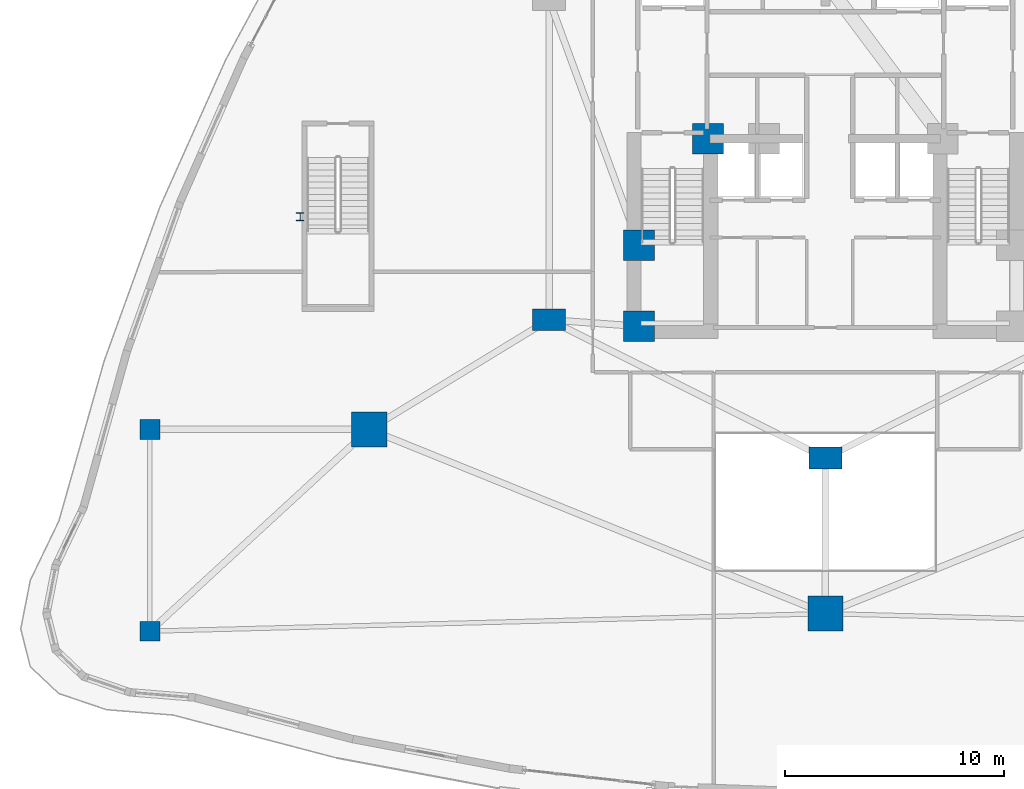
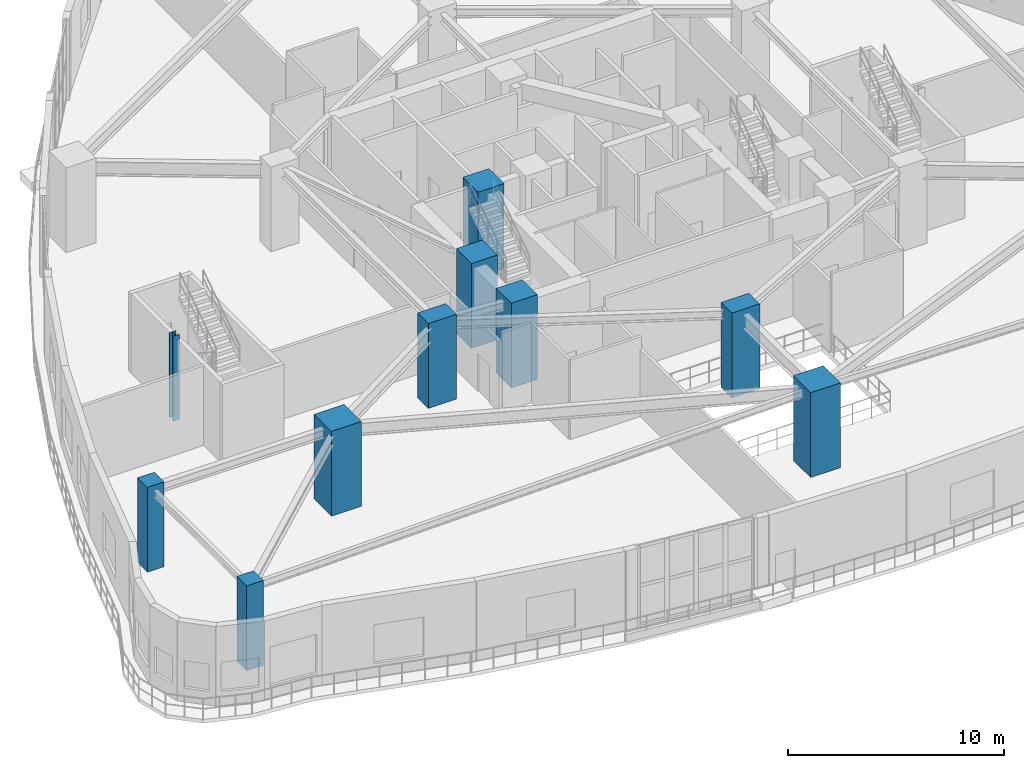
# One storey, part 1 of 25: 10 columns.
"""IFC4 building model written with IfcOpenShell, lengths in metres."""

from ifc_helpers import new_model, si_unit, direction, frame, origin, origin_2d, place, context, subcontext, project, spatial, rectangle, i_section, extrude, material, material_profile, profile_set, type_object, element, save


model = new_model("IFC4")

# Units and contexts
model_context = context("Model", 3, precision=1e-05, world=origin(), true_north=direction((0.0, 1.0)))
body_context = subcontext(model_context, "Body", "Model", "MODEL_VIEW")
ifc_project = project(units=[si_unit("LENGTHUNIT", "METRE"), si_unit("AREAUNIT", "SQUARE_METRE"), si_unit("VOLUMEUNIT", "CUBIC_METRE"), si_unit("PLANEANGLEUNIT", "RADIAN"), si_unit("MASSUNIT", "GRAM", prefix="KILO")], contexts=[model_context])

# Site, building, storey
site_placement = place(None, origin())
site = spatial("IfcSite", under=ifc_project, at=site_placement, CompositionType="ELEMENT")
building_placement = place(site_placement, origin())
building = spatial("IfcBuilding", under=site, at=building_placement, Name="Miruveldt Soraemaru", CompositionType="ELEMENT")
storey_placement = place(building_placement, frame((0.0, 0.0, 4.800048828125)))
storey = spatial("IfcBuildingStorey", under=building, at=storey_placement, Name="L02", CompositionType="ELEMENT", Elevation=4.800048828125)

# Columns
ifc_material_1 = material(Name="Concrete C50/60 (50 MPa)", Category="concrete")
ifc_material_profile_1 = material_profile(ifc_material_1, rectangle(XDim=0.89990234375, YDim=0.89990234375, at=origin_2d()), Name="Concrete C50/60 (50 MPa)", Category="concrete")
ifc_profile_set_1 = profile_set([ifc_material_profile_1], Name="Concrete C50/60 (50 MPa)")
column_type_1 = type_object("IfcColumnType", Name="COL-CORE-900", PredefinedType="COLUMN", material=ifc_profile_set_1)
for number, where, z_axis, x_axis, name in (
    (1, (13.199951171875, 21.60009765625, 0.0), (0.0, 0.0, 1.0), (1.0, 0.0, 0.0), "L02 Structural Column PF01"),
    (2, (13.199951171875, 30.800048828125, 0.0), (0.0, 0.0, 1.0), (1.0, 0.0, 0.0), "L02 Structural Column PF02"),
):
    element("IfcColumn", number, at=place(storey_placement, frame(where, z_axis=z_axis, x_axis=x_axis)), inside=storey, type_object=column_type_1, Name=name, PredefinedType="COLUMN", context=body_context, shape_type="SweptSolid", body=[
        extrude(rectangle(XDim=0.89990234375, YDim=0.89990234375, at=origin_2d()), origin(), (0.0, 0.0, 1.0), 4.800048828125),
    ])
ifc_material_2 = material(Name="Concrete C80/95 (80 MPa)", Category="concrete")
ifc_material_profile_2 = material_profile(ifc_material_2, rectangle(XDim=1.39990234375, YDim=1.39990234375, at=origin_2d()), Name="Concrete C80/95 (80 MPa)", Category="concrete")
ifc_profile_set_2 = profile_set([ifc_material_profile_2], Name="Concrete C80/95 (80 MPa)")
column_type_2 = type_object("IfcColumnType", Name="COL-MEGA-1400", PredefinedType="COLUMN", material=ifc_profile_set_2)
for number, where, z_axis, x_axis, name in (
    (3, (35.5, 35.5, 0.0), (0.0, 0.0, 1.0), (1.0, 0.0, 0.0), "L02 Structural Column CC1"),
    (4, (38.64990234375, 44.050048828125, 0.0), (0.0, 0.0, 1.0), (1.0, 0.0, 0.0), "L02 Structural Column CC2"),
    (5, (35.5, 39.199951171875, 0.0), (0.0, 0.0, 1.0), (1.0, 0.0, 0.0), "L02 Structural Column CC7"),
):
    element("IfcColumn", number, at=place(storey_placement, frame(where, z_axis=z_axis, x_axis=x_axis)), inside=storey, type_object=column_type_2, Name=name, PredefinedType="COLUMN", context=body_context, shape_type="SweptSolid", body=[
        extrude(rectangle(XDim=1.39990234375, YDim=1.39990234375, at=origin_2d()), origin(), (0.0, 0.0, 1.0), 4.800048828125),
    ])
ifc_material_profile_3 = material_profile(ifc_material_2, rectangle(XDim=1.60009765625, YDim=1.60009765625, at=origin_2d()), Name="Concrete C80/95 (80 MPa)", Category="concrete")
ifc_profile_set_3 = profile_set([ifc_material_profile_3], Name="Concrete C80/95 (80 MPa)")
column_type_3 = type_object("IfcColumnType", Name="COL-MEGA-1600", PredefinedType="COLUMN", material=ifc_profile_set_3)
for number, where, z_axis, x_axis, name in (
    (6, (44.0, 22.39990234375, 0.0), (0.0, 0.0, 1.0), (1.0, 0.0, 0.0), "L02 Structural Column PM04"),
    (7, (23.199951171875, 30.800048828125, 0.0), (0.0, 0.0, 1.0), (1.0, 0.0, 0.0), "L02 Structural Column PM05"),
):
    element("IfcColumn", number, at=place(storey_placement, frame(where, z_axis=z_axis, x_axis=x_axis)), inside=storey, type_object=column_type_3, Name=name, PredefinedType="COLUMN", context=body_context, shape_type="SweptSolid", body=[
        extrude(rectangle(XDim=1.60009765625, YDim=1.60009765625, at=origin_2d()), origin(), (0.0, 0.0, 1.0), 4.800048828125),
    ])
ifc_material_3 = material(Name="Steel SM355 (355 MPa)", Category="steel")
ifc_material_profile_4 = material_profile(ifc_material_3, i_section(OverallWidth=0.35009765625, OverallDepth=0.35009765625, WebThickness=0.011962890625, FlangeThickness=0.01904296875, FilletRadius=0.02001953125, at=origin_2d()), Name="Steel SM355 (355 MPa)", Category="steel")
ifc_profile_set_4 = profile_set([ifc_material_profile_4], Name="Steel SM355 (355 MPa)")
column_type_4 = type_object("IfcColumnType", Name="COL-PIL-350", PredefinedType="PILASTER", material=ifc_profile_set_4)
column_placement = place(storey_placement, frame((20.050048828125, 40.5, 0.0), z_axis=(0.0, 0.0, 1.0), x_axis=(1.0, 0.0, 0.0)))
element("IfcColumn", 8, at=column_placement, inside=storey, type_object=column_type_4, Name="L02 Structural Column PIL1", PredefinedType="PILASTER", context=body_context, shape_type="SweptSolid", body=[
    extrude(i_section(OverallWidth=0.35009765625, OverallDepth=0.35009765625, WebThickness=0.011962890625, FlangeThickness=0.01904296875, FilletRadius=0.02001953125, at=origin_2d()), origin(), (0.0, 0.0, 1.0), 4.800048828125),
])
ifc_material_profile_5 = material_profile(ifc_material_2, rectangle(XDim=1.5, YDim=1.0, at=origin_2d()), Name="Concrete C80/95 (80 MPa)", Category="concrete")
ifc_profile_set_5 = profile_set([ifc_material_profile_5], Name="Concrete C80/95 (80 MPa)")
column_type_5 = type_object("IfcColumnType", Name="COL-TW-Z1A", PredefinedType="COLUMN", material=ifc_profile_set_5)
for number, where, z_axis, x_axis, name in (
    (9, (44.0, 29.5, 0.0), (0.0, 0.0, 1.0), (1.0, 0.0, 0.0), "L02 Structural Column IR04"),
    (10, (31.39990234375, 35.800048828125, 0.0), (0.0, 0.0, 1.0), (1.0, 0.0, 0.0), "L02 Structural Column IR05"),
):
    element("IfcColumn", number, at=place(storey_placement, frame(where, z_axis=z_axis, x_axis=x_axis)), inside=storey, type_object=column_type_5, Name=name, PredefinedType="COLUMN", context=body_context, shape_type="SweptSolid", body=[
        extrude(rectangle(XDim=1.5, YDim=1.0, at=origin_2d()), origin(), (0.0, 0.0, 1.0), 4.800048828125),
    ])

save(model, "model.ifc")
